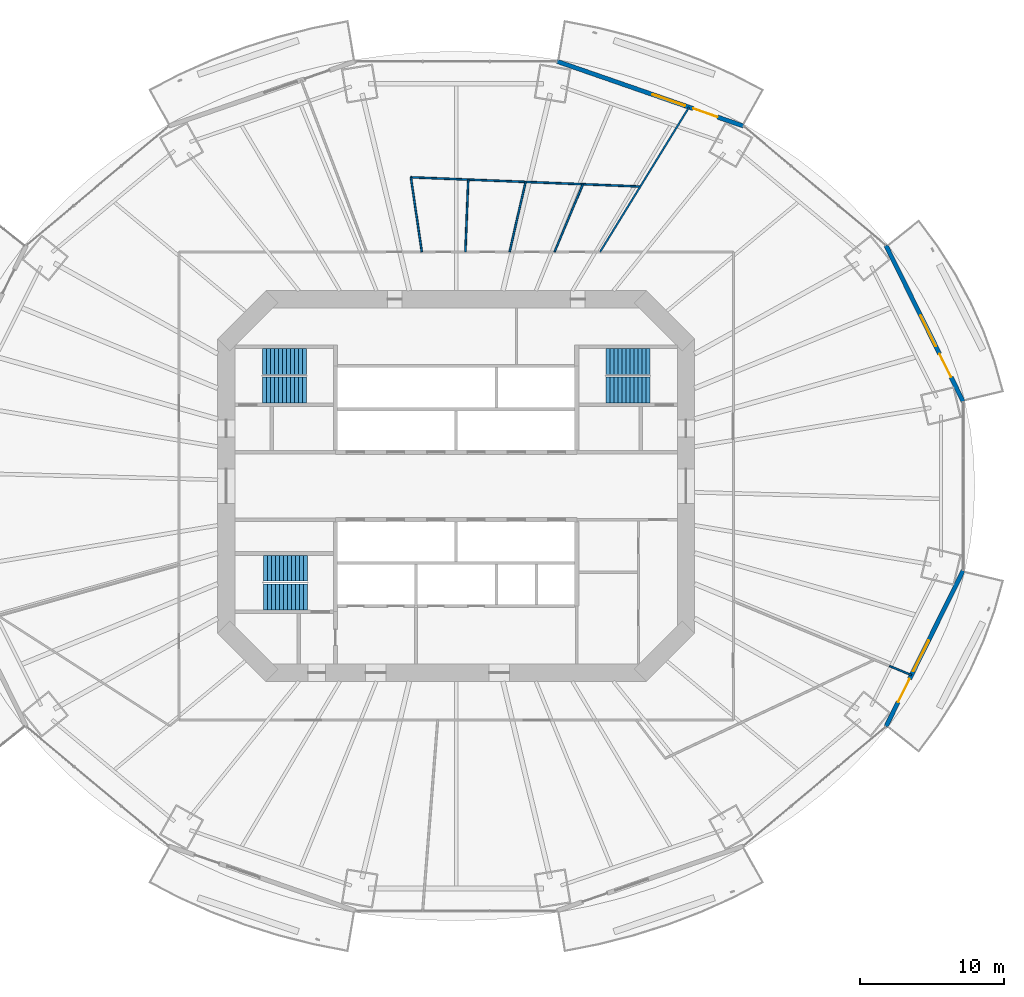
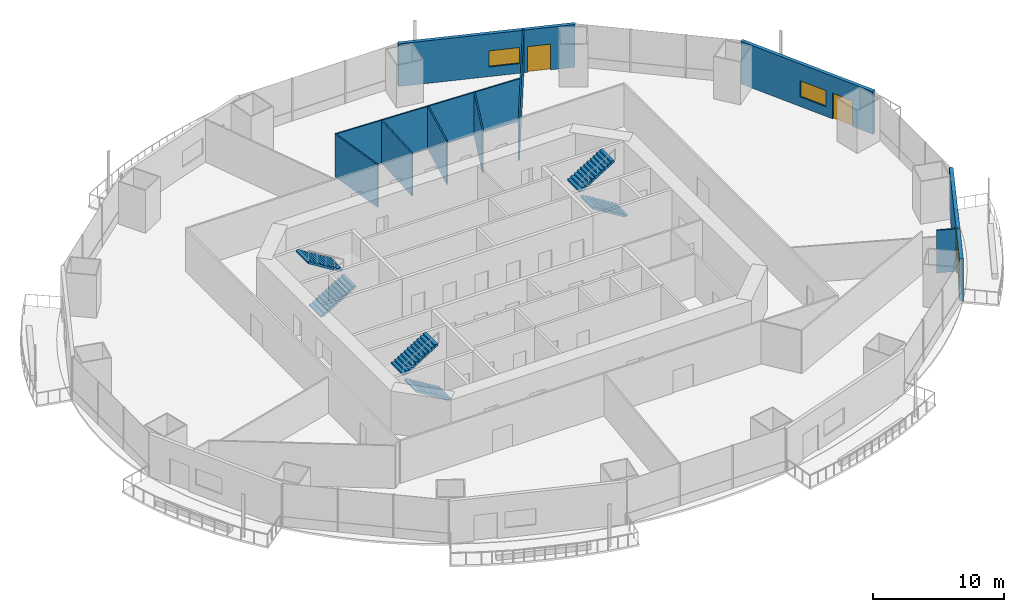
# One storey, part 17 of 23: 10 walls, 6 stair flights, 3 doors, 3 windows, 6 openings, 3 elements without a shape of their own.
"""IFC4 building model written with IfcOpenShell, lengths in metres."""

import ifcopenshell
import ifcopenshell.guid

model = None  # the IFC model being written
_history = None  # IfcOwnerHistory: only IFC2X3 demands one
_inside = {}  # id of a spatial element -> (the spatial element, [elements in it])
_under = {}  # id of a project, library or spatial element -> (it, [spatial elements below it])
_declared = {}  # id of a project -> (the project, [libraries it declares])
_typed = {}  # id of a type object -> (the type object, [elements of that type])
_made_of = {}  # id of a material, layer set ... -> (it, [elements and type objects made of it])


def new_model(schema):
    """Start an empty IFC model of exactly this schema.

    Asked for "IFC4X3", IfcOpenShell would pick the latest addendum, in which some entities
    have other attributes; the version numbers below select the first issue.
    IFC2X3 requires an IfcOwnerHistory on every rooted entity: one is made here for all.
    """
    global model, _history
    if schema == "IFC4X3":
        model = ifcopenshell.file(schema_version=(4, 3, 0, 0))
    else:
        model = ifcopenshell.file(schema=schema)
    _inside.clear()
    _under.clear()
    _declared.clear()
    _typed.clear()
    _made_of.clear()
    _history = None
    if model.schema == "IFC2X3":
        org = make("IfcOrganization", Name="unknown")
        user = make(
            "IfcPersonAndOrganization",
            ThePerson=make("IfcPerson", FamilyName="unknown"),
            TheOrganization=org,
        )
        app = make(
            "IfcApplication",
            ApplicationDeveloper=org,
            Version="unknown",
            ApplicationFullName="unknown",
            ApplicationIdentifier="unknown",
        )
        _history = make(
            "IfcOwnerHistory",
            OwningUser=user,
            OwningApplication=app,
            ChangeAction="ADDED",
            CreationDate=0,
        )
    return model


def make(cls, **values):
    """One entity of the class cls with the attributes given. An attribute that is None is left unset."""
    return model.create_entity(
        cls, **{name: value for name, value in values.items() if value is not None}
    )


def rooted(cls, **values):
    """An entity with a GlobalId (a new one), such as an element, a storey or a relation."""
    return make(cls, GlobalId=ifcopenshell.guid.new(), OwnerHistory=_history, **values)


def si_unit(unit_type, name, prefix=None):
    """IfcSIUnit, for example si_unit("LENGTHUNIT", "METRE", prefix="MILLI")."""
    return make("IfcSIUnit", UnitType=unit_type, Prefix=prefix, Name=name)


def assignment(units):
    """IfcUnitAssignment: the units of a project."""
    return None if units is None else make("IfcUnitAssignment", Units=units)


def point(xyz):
    """IfcCartesianPoint."""
    return None if xyz is None else make("IfcCartesianPoint", Coordinates=xyz)


def direction(xyz):
    """IfcDirection."""
    return None if xyz is None else make("IfcDirection", DirectionRatios=xyz)


def frame(location, z_axis=None, x_axis=None):
    """IfcAxis2Placement3D, a coordinate frame: its origin and axes. An axis left out is left unset."""
    return make(
        "IfcAxis2Placement3D",
        Location=point(location),
        Axis=direction(z_axis),
        RefDirection=direction(x_axis),
    )


def frame_2d(location, x_axis=None):
    """IfcAxis2Placement2D, a coordinate frame in the plane: its origin and x axis."""
    return make(
        "IfcAxis2Placement2D", Location=point(location), RefDirection=direction(x_axis)
    )


def origin():
    """The frame at (0, 0, 0) with its axes left unset."""
    return frame((0.0, 0.0, 0.0))


def place(relative_to, where):
    """IfcLocalPlacement: puts the frame where relative to a parent placement (None: the world)."""
    return make(
        "IfcLocalPlacement", PlacementRelTo=relative_to, RelativePlacement=where
    )


def context(
    kind, dimensions, precision=None, world=None, true_north=None, identifier=None
):
    """IfcGeometricRepresentationContext, for example the 3D "Model" context."""
    return make(
        "IfcGeometricRepresentationContext",
        ContextIdentifier=identifier,
        ContextType=kind,
        CoordinateSpaceDimension=dimensions,
        Precision=precision,
        WorldCoordinateSystem=world,
        TrueNorth=true_north,
    )


def subcontext(parent, identifier, kind, view, scale=None):
    """IfcGeometricRepresentationSubContext, for example "Body" below "Model"."""
    return make(
        "IfcGeometricRepresentationSubContext",
        ContextIdentifier=identifier,
        ContextType=kind,
        ParentContext=parent,
        TargetScale=scale,
        TargetView=view,
    )


def project(units=None, contexts=None):
    """IfcProject with its units and contexts."""
    return rooted(
        "IfcProject",
        Name="project",
        RepresentationContexts=contexts,
        UnitsInContext=assignment(units),
    )


def spatial(cls, under=None, at=None, **own):
    """A site, building, storey or space (cls), placed at a placement, below another one or the project."""
    s = rooted(cls, ObjectPlacement=at, **own)
    if under is not None:
        _under.setdefault(under.id(), (under, []))[1].append(s)
    return s


def polyline(points):
    """IfcPolyline through the points."""
    return make("IfcPolyline", Points=[point(p) for p in points])


def profile(cls, at=None, kind="AREA", **sizes):
    """A parametric profile (cls). Its sizes go by their IFC names, for example OverallWidth=200.0."""
    return make(cls, ProfileType=kind, Position=at, **sizes)


def rectangle(**sizes):
    """IfcRectangleProfileDef."""
    return profile("IfcRectangleProfileDef", **sizes)


def outline(outer, holes=None, kind="AREA"):
    """IfcArbitraryClosedProfileDef: a profile drawn as a closed curve; with holes, ...WithVoids."""
    if holes is None:
        return make("IfcArbitraryClosedProfileDef", ProfileType=kind, OuterCurve=outer)
    return make(
        "IfcArbitraryProfileDefWithVoids",
        ProfileType=kind,
        OuterCurve=outer,
        InnerCurves=holes,
    )


def extrude(swept, where, along, depth):
    """IfcExtrudedAreaSolid: the profile swept, set in the frame where, extruded along a direction by depth."""
    return make(
        "IfcExtrudedAreaSolid",
        SweptArea=swept,
        Position=where,
        ExtrudedDirection=direction(along),
        Depth=depth,
    )


def shape(context_of_items, identifier, shape_type, items):
    """IfcShapeRepresentation: the items that make up one representation, for example the "Body"."""
    return make(
        "IfcShapeRepresentation",
        ContextOfItems=context_of_items,
        RepresentationIdentifier=identifier,
        RepresentationType=shape_type,
        Items=items,
    )


def material(Name=None, Category=None):
    """IfcMaterial."""
    return make("IfcMaterial", Name=Name, Category=Category)


def layer(
    of_material, thickness, ventilated=None, Name=None, Category=None, Priority=None
):
    """IfcMaterialLayer: one layer of a wall or slab, of a material (None: an air gap)."""
    return make(
        "IfcMaterialLayer",
        Material=of_material,
        LayerThickness=thickness,
        IsVentilated=ventilated,
        Name=Name,
        Category=Category,
        Priority=Priority,
    )


def layer_set(layers, Name=None):
    """IfcMaterialLayerSet."""
    return make("IfcMaterialLayerSet", MaterialLayers=layers, LayerSetName=Name)


def made_of(thing, what):
    """Note that an element or type object is made of a material, layer set ...; save() writes the relation."""
    if what is not None:
        _made_of.setdefault(what.id(), (what, []))[1].append(thing)
    return thing


def type_object(cls, material=None, **own):
    """A type object (cls), such as IfcWallType, which elements share."""
    return made_of(rooted(cls, **own), material)


def element(
    cls,
    number,
    at=None,
    inside=None,
    cuts=None,
    type_object=None,
    material=None,
    context=None,
    identifier="Body",
    shape_type=None,
    held_by="IfcProductDefinitionShape",
    body=None,
    shapes=None,
    **own,
):
    """One element of the class cls, such as IfcWall. Its Tag is "e" and its number.

    at: its placement. inside: the storey or other place that contains it. cuts: it is an
    opening in that element (IfcRelVoidsElement). A single representation is given by context,
    identifier, shape_type and body (its items); several are given by shapes. held_by: the class
    of the entity that holds the representations. save() writes the other relations.
    """
    e = rooted(cls, Tag="e%d" % number, ObjectPlacement=at, **own)
    if body is not None:
        shapes = [shape(context, identifier, shape_type, body)]
    if shapes is not None:
        e.Representation = make(held_by, Representations=shapes)
    if inside is not None:
        _inside.setdefault(inside.id(), (inside, []))[1].append(e)
    if cuts is not None:
        rooted(
            "IfcRelVoidsElement", RelatingBuildingElement=cuts, RelatedOpeningElement=e
        )
    if type_object is not None:
        _typed.setdefault(type_object.id(), (type_object, []))[1].append(e)
    return made_of(e, material)


def fill(opening, filler):
    """IfcRelFillsElement: the door or window that sits in an opening."""
    return rooted(
        "IfcRelFillsElement",
        RelatingOpeningElement=opening,
        RelatedBuildingElement=filler,
    )


def aggregate(whole, parts):
    """IfcRelAggregates: a whole, such as a stair, and the parts it consists of."""
    return rooted("IfcRelAggregates", RelatingObject=whole, RelatedObjects=parts)


def save(model, path):
    """Write the relations noted so far, then the file.

    IfcRelAggregates (storeys below a building ...), IfcRelContainedInSpatialStructure (elements
    in a storey), IfcRelDefinesByType, IfcRelAssociatesMaterial and IfcRelDeclares: one each for
    every whole, place, type object, material and project.
    """
    for whole, parts in _under.values():
        aggregate(whole, parts)
    for where, things in _inside.values():
        rooted(
            "IfcRelContainedInSpatialStructure",
            RelatedElements=things,
            RelatingStructure=where,
        )
    for kind, things in _typed.values():
        rooted("IfcRelDefinesByType", RelatedObjects=things, RelatingType=kind)
    for what, things in _made_of.values():
        rooted("IfcRelAssociatesMaterial", RelatedObjects=things, RelatingMaterial=what)
    for by, libraries in _declared.values():
        rooted("IfcRelDeclares", RelatingContext=by, RelatedDefinitions=libraries)
    model.write(path)


model = new_model("IFC4")

# Units and contexts
model_context = context("Model", 3, precision=1e-05, world=origin(), true_north=direction((0.0, 1.0)))
body_context = subcontext(model_context, "Body", "Model", "MODEL_VIEW")
ifc_project = project(units=[si_unit("LENGTHUNIT", "METRE"), si_unit("AREAUNIT", "SQUARE_METRE"), si_unit("VOLUMEUNIT", "CUBIC_METRE"), si_unit("PLANEANGLEUNIT", "RADIAN"), si_unit("MASSUNIT", "GRAM", prefix="KILO")], contexts=[model_context])

# Site, building, storey
site_placement = place(None, origin())
site = spatial("IfcSite", under=ifc_project, at=site_placement, CompositionType="ELEMENT")
building_placement = place(site_placement, origin())
building = spatial("IfcBuilding", under=site, at=building_placement, Name="Marenthal Gate Tower", CompositionType="ELEMENT")
storey_placement = place(building_placement, frame((0.0, 0.0, 62.050048828125)))
storey = spatial("IfcBuildingStorey", under=building, at=storey_placement, Name="L11", CompositionType="ELEMENT", Elevation=62.050048828125)

# Walls
ifc_material_1 = material(Name="Gypsum board on steel studs", Category="steel")
ifc_layer_1 = layer(ifc_material_1, 0.1201171875)
ifc_layer_set_1 = layer_set([ifc_layer_1], Name="Partition 120")
wall_type_1 = type_object("IfcWallType", Name="Partition 120", PredefinedType="PARTITIONING", material=ifc_layer_set_1)
wall_1_placement = place(storey_placement, frame((-3.151123046875, 21.496337890625, 0.0), z_axis=(0.0, 0.0, 1.0), x_axis=(0.145038947254, -0.989425946587, 0.0)))
element("IfcWall", 1, at=wall_1_placement, inside=storey, type_object=wall_type_1, Name="Partition wall 53", PredefinedType="PARTITIONING", context=body_context, shape_type="SweptSolid", body=[
    extrude(rectangle(XDim=5.251708984375, YDim=0.1201171875, at=frame_2d((2.6259765625, 0.0))), origin(), (0.0, 0.0, 1.0), 3.969970703125),
])
wall_2_placement = place(storey_placement, frame((0.842041015625, 21.335693359375, 0.0), z_axis=(0.0, 0.0, 1.0), x_axis=(-0.039434056556, -0.999222175086, 0.0)))
element("IfcWall", 2, at=wall_2_placement, inside=storey, type_object=wall_type_1, Name="Partition wall 55", PredefinedType="PARTITIONING", context=body_context, shape_type="SweptSolid", body=[
    extrude(rectangle(XDim=5.03955078125, YDim=0.1201171875, at=frame_2d((2.519775390625, 0.0))), origin(), (0.0, 0.0, 1.0), 3.969970703125),
])
wall_3_placement = place(storey_placement, frame((4.835205078125, 21.175048828125, 0.0), z_axis=(0.0, 0.0, 1.0), x_axis=(-0.222587494033, -0.974912717888, 0.0)))
element("IfcWall", 3, at=wall_3_placement, inside=storey, type_object=wall_type_1, Name="Partition wall 56", PredefinedType="PARTITIONING", context=body_context, shape_type="SweptSolid", body=[
    extrude(rectangle(XDim=5.00048828125, YDim=0.1201171875, at=frame_2d((2.500244140625, 0.0))), origin(), (0.0, 0.0, 1.0), 3.969970703125),
])
wall_4_placement = place(storey_placement, frame((8.82861328125, 21.014404296875, 0.0), z_axis=(0.0, 0.0, 1.0), x_axis=(-0.387346118672, -0.921934370956, 0.0)))
element("IfcWall", 4, at=wall_4_placement, inside=storey, type_object=wall_type_1, Name="Partition wall 57", PredefinedType="PARTITIONING", context=body_context, shape_type="SweptSolid", body=[
    extrude(rectangle(XDim=5.113525390625, YDim=0.1201171875, at=frame_2d((2.556640625, 0.0))), origin(), (0.0, 0.0, 1.0), 3.969970703125),
])
wall_5_placement = place(storey_placement, frame((10.021728515625, 16.300048828125, 0.0), z_axis=(0.0, 0.0, 1.0), x_axis=(0.523760062699, 0.851865832583, 0.0)))
element("IfcWall", 5, at=wall_5_placement, inside=storey, type_object=wall_type_1, Name="Partition wall 58", PredefinedType="PARTITIONING", context=body_context, shape_type="SweptSolid", body=[
    extrude(rectangle(XDim=11.831787109375, YDim=0.1201171875, at=frame_2d((5.916015625, 0.0))), origin(), (0.0, 0.0, 1.0), 3.969970703125),
])
wall_6_placement = place(storey_placement, frame((12.82177734375, 20.85400390625, 0.0), z_axis=(0.0, 0.0, 1.0), x_axis=(-0.999192397074, 0.040181508547, 0.0)))
element("IfcWall", 6, at=wall_6_placement, inside=storey, type_object=wall_type_1, Name="Partition wall 59", PredefinedType="PARTITIONING", context=body_context, shape_type="SweptSolid", body=[
    extrude(rectangle(XDim=15.98583984375, YDim=0.1201171875, at=frame_2d((7.992919921875, 0.0))), origin(), (0.0, 0.0, 1.0), 3.969970703125),
])
wall_7_placement = place(storey_placement, frame((30.175537109375, -12.530517578125, 0.0), z_axis=(0.0, 0.0, 1.0), x_axis=(0.923548234134, -0.3834822802, 0.0)))
element("IfcWall", 7, at=wall_7_placement, inside=storey, type_object=wall_type_1, Name="Partition wall 66", PredefinedType="PARTITIONING", context=body_context, shape_type="SweptSolid", body=[
    extrude(rectangle(XDim=1.65283203125, YDim=0.1201171875, at=frame_2d((0.826416015625, 0.0))), origin(), (0.0, 0.0, 1.0), 3.969970703125),
])

# Wall, openings, door, window
ifc_material_2 = material(Name="Terracotta cladding on insulated concrete-block backing", Category="masonry")
ifc_layer_2 = layer(ifc_material_2, 0.300048828125)
ifc_layer_set_2 = layer_set([ifc_layer_2], Name="Terracotta facade wall 300")
wall_type_2 = type_object("IfcWallType", Name="Terracotta facade wall 300", PredefinedType="SOLIDWALL", material=ifc_layer_set_2)
wall_8_placement = place(storey_placement, frame((35.303466796875, 5.8818359375, 0.0), z_axis=(0.0, 0.0, 1.0), x_axis=(-0.443294866901, 0.896375848057, 0.0)))
wall_8 = element("IfcWall", 8, at=wall_8_placement, inside=storey, type_object=wall_type_2, Name="Terracotta facade wall L11 bay 1", PredefinedType="SOLIDWALL", context=body_context, shape_type="SweptSolid", body=[
    extrude(rectangle(XDim=12.12451171875, YDim=0.300048828125, at=frame_2d((6.062255859375, 0.0))), origin(), (0.0, 0.0, 1.0), 3.969970703125),
])
opening_1_placement = place(wall_8_placement, frame((1.89990234375, 0.0, 0.0)))
opening_1 = element("IfcOpeningElement", 9, at=opening_1_placement, cuts=wall_8, Name="Opening BD-L11-01", PredefinedType="OPENING", context=body_context, shape_type="SweptSolid", body=[
    extrude(rectangle(XDim=1.800048828125, YDim=2.39990234375, at=frame_2d((0.89990234375, 1.199951171875))), frame((0.0, 0.16015625, 0.0), z_axis=(0.0, -1.0, 0.0), x_axis=(1.0, 0.0, 0.0)), (0.0, 0.0, 1.0), 0.320068359375),
])
opening_2_placement = place(wall_8_placement, frame((4.300048828125, 0.0, 0.89990234375)))
opening_2 = element("IfcOpeningElement", 10, at=opening_2_placement, cuts=wall_8, Name="Opening WN1-L11-01", PredefinedType="OPENING", context=body_context, shape_type="SweptSolid", body=[
    extrude(rectangle(XDim=2.39990234375, YDim=1.5, at=frame_2d((1.199951171875, 0.75))), frame((0.0, 0.16015625, 0.0), z_axis=(0.0, -1.0, 0.0), x_axis=(1.0, 0.0, 0.0)), (0.0, 0.0, 1.0), 0.320068359375),
])
ifc_material_3 = material(Name="Aluminium and glass", Category="aluminium")
door_type = type_object("IfcDoorType", Name="Balcony door 1800x2400", OperationType="DOUBLE_DOOR_SINGLE_SWING", PredefinedType="DOOR", material=ifc_material_3)
door_1_placement = place(opening_1_placement, origin())
door_1 = element("IfcDoor", 11, at=door_1_placement, inside=storey, type_object=door_type, Name="Balcony door L11 bay 1", OperationType="SINGLE_SWING_LEFT", OverallHeight=2.39990234375, OverallWidth=1.800048828125, PredefinedType="DOOR", context=body_context, shape_type="SweptSolid", body=[
    extrude(rectangle(XDim=1.800048828125, YDim=2.39990234375, at=frame_2d((0.89990234375, 1.199951171875))), frame((0.0, 0.02490234375, 0.0), z_axis=(0.0, -1.0, 0.0), x_axis=(1.0, 0.0, 0.0)), (0.0, 0.0, 1.0), 0.050048828125),
])
fill(opening_1, door_1)
ifc_material_4 = material(Name="Aluminium and glass", Category="aluminium")
window_type = type_object("IfcWindowType", Name="Window 2400x1500", PartitioningType="TRIPLE_PANEL_VERTICAL", PredefinedType="WINDOW", material=ifc_material_4)
window_1_placement = place(opening_2_placement, origin())
window_1 = element("IfcWindow", 12, at=window_1_placement, inside=storey, type_object=window_type, Name="Window L11 bay 1", OverallHeight=1.5, OverallWidth=2.39990234375, PartitioningType="SINGLE_PANEL", PredefinedType="WINDOW", context=body_context, shape_type="SweptSolid", body=[
    extrude(rectangle(XDim=2.39990234375, YDim=1.5, at=frame_2d((1.199951171875, 0.75))), frame((0.0, 0.030029296875, 0.0), z_axis=(0.0, -1.0, 0.0), x_axis=(1.0, 0.0, 0.0)), (0.0, 0.0, 1.0), 0.06005859375),
])
fill(opening_2, window_1)

wall_9_placement = place(storey_placement, frame((19.997802734375, 25.068115234375, 0.0), z_axis=(0.0, 0.0, 1.0), x_axis=(-0.944762678088, 0.327755216727, 0.0)))
wall_9 = element("IfcWall", 13, at=wall_9_placement, inside=storey, type_object=wall_type_2, Name="Terracotta facade wall L11 bay 3", PredefinedType="SOLIDWALL", context=body_context, shape_type="SweptSolid", body=[
    extrude(rectangle(XDim=13.734130859375, YDim=0.300048828125, at=frame_2d((6.8671875, 0.0))), origin(), (0.0, 0.0, 1.0), 3.969970703125),
])
opening_3_placement = place(wall_9_placement, frame((1.89990234375, 0.0, 0.0)))
opening_3 = element("IfcOpeningElement", 14, at=opening_3_placement, cuts=wall_9, Name="Opening BD-L11-03", PredefinedType="OPENING", context=body_context, shape_type="SweptSolid", body=[
    extrude(rectangle(XDim=1.800048828125, YDim=2.39990234375, at=frame_2d((0.89990234375, 1.199951171875))), frame((0.0, 0.16015625, 0.0), z_axis=(0.0, -1.0, 0.0), x_axis=(1.0, 0.0, 0.0)), (0.0, 0.0, 1.0), 0.320068359375),
])
opening_4_placement = place(wall_9_placement, frame((4.300048828125, 0.0, 0.89990234375)))
opening_4 = element("IfcOpeningElement", 15, at=opening_4_placement, cuts=wall_9, Name="Opening WN1-L11-03", PredefinedType="OPENING", context=body_context, shape_type="SweptSolid", body=[
    extrude(rectangle(XDim=2.39990234375, YDim=1.5, at=frame_2d((1.199951171875, 0.75))), frame((0.0, 0.16015625, 0.0), z_axis=(0.0, -1.0, 0.0), x_axis=(1.0, 0.0, 0.0)), (0.0, 0.0, 1.0), 0.320068359375),
])
door_2_placement = place(opening_3_placement, origin())
door_2 = element("IfcDoor", 16, at=door_2_placement, inside=storey, type_object=door_type, Name="Balcony door L11 bay 3", OperationType="SINGLE_SWING_LEFT", OverallHeight=2.39990234375, OverallWidth=1.800048828125, PredefinedType="DOOR", context=body_context, shape_type="SweptSolid", body=[
    extrude(rectangle(XDim=1.800048828125, YDim=2.39990234375, at=frame_2d((0.89990234375, 1.199951171875))), frame((0.0, 0.02490234375, 0.0), z_axis=(0.0, -1.0, 0.0), x_axis=(1.0, 0.0, 0.0)), (0.0, 0.0, 1.0), 0.050048828125),
])
fill(opening_3, door_2)
window_2_placement = place(opening_4_placement, origin())
window_2 = element("IfcWindow", 17, at=window_2_placement, inside=storey, type_object=window_type, Name="Window L11 bay 3", OverallHeight=1.5, OverallWidth=2.39990234375, PartitioningType="SINGLE_PANEL", PredefinedType="WINDOW", context=body_context, shape_type="SweptSolid", body=[
    extrude(rectangle(XDim=2.39990234375, YDim=1.5, at=frame_2d((1.199951171875, 0.75))), frame((0.0, 0.030029296875, 0.0), z_axis=(0.0, -1.0, 0.0), x_axis=(1.0, 0.0, 0.0)), (0.0, 0.0, 1.0), 0.06005859375),
])
fill(opening_4, window_2)

wall_10_placement = place(storey_placement, frame((29.9287109375, -16.75, 0.0), z_axis=(0.0, 0.0, 1.0), x_axis=(0.443294866901, 0.896375848057, 0.0)))
wall_10 = element("IfcWall", 18, at=wall_10_placement, inside=storey, type_object=wall_type_2, Name="Terracotta facade wall L11 bay 15", PredefinedType="SOLIDWALL", context=body_context, shape_type="SweptSolid", body=[
    extrude(rectangle(XDim=12.12451171875, YDim=0.300048828125, at=frame_2d((6.062255859375, 0.0))), origin(), (0.0, 0.0, 1.0), 3.969970703125),
])
opening_5_placement = place(wall_10_placement, frame((1.89990234375, 0.0, 0.0)))
opening_5 = element("IfcOpeningElement", 19, at=opening_5_placement, cuts=wall_10, Name="Opening BD-L11-15", PredefinedType="OPENING", context=body_context, shape_type="SweptSolid", body=[
    extrude(rectangle(XDim=1.800048828125, YDim=2.39990234375, at=frame_2d((0.89990234375, 1.199951171875))), frame((0.0, 0.16015625, 0.0), z_axis=(0.0, -1.0, 0.0), x_axis=(1.0, 0.0, 0.0)), (0.0, 0.0, 1.0), 0.320068359375),
])
opening_6_placement = place(wall_10_placement, frame((4.300048828125, 0.0, 0.89990234375)))
opening_6 = element("IfcOpeningElement", 20, at=opening_6_placement, cuts=wall_10, Name="Opening WN1-L11-15", PredefinedType="OPENING", context=body_context, shape_type="SweptSolid", body=[
    extrude(rectangle(XDim=2.39990234375, YDim=1.5, at=frame_2d((1.199951171875, 0.75))), frame((0.0, 0.16015625, 0.0), z_axis=(0.0, -1.0, 0.0), x_axis=(1.0, 0.0, 0.0)), (0.0, 0.0, 1.0), 0.320068359375),
])
door_3_placement = place(opening_5_placement, origin())
door_3 = element("IfcDoor", 21, at=door_3_placement, inside=storey, type_object=door_type, Name="Balcony door L11 bay 15", OperationType="SINGLE_SWING_LEFT", OverallHeight=2.39990234375, OverallWidth=1.800048828125, PredefinedType="DOOR", context=body_context, shape_type="SweptSolid", body=[
    extrude(rectangle(XDim=1.800048828125, YDim=2.39990234375, at=frame_2d((0.89990234375, 1.199951171875))), frame((0.0, 0.02490234375, 0.0), z_axis=(0.0, -1.0, 0.0), x_axis=(1.0, 0.0, 0.0)), (0.0, 0.0, 1.0), 0.050048828125),
])
fill(opening_5, door_3)
window_3_placement = place(opening_6_placement, origin())
window_3 = element("IfcWindow", 22, at=window_3_placement, inside=storey, type_object=window_type, Name="Window L11 bay 15", OverallHeight=1.5, OverallWidth=2.39990234375, PartitioningType="SINGLE_PANEL", PredefinedType="WINDOW", context=body_context, shape_type="SweptSolid", body=[
    extrude(rectangle(XDim=2.39990234375, YDim=1.5, at=frame_2d((1.199951171875, 0.75))), frame((0.0, 0.030029296875, 0.0), z_axis=(0.0, -1.0, 0.0), x_axis=(1.0, 0.0, 0.0)), (0.0, 0.0, 1.0), 0.06005859375),
])
fill(opening_6, window_3)

# Stair, stair flights
ifc_material_5 = material(Name="Concrete 40 MPa", Category="concrete")
stair_type = type_object("IfcStairType", Name="Exit stair 1800", PredefinedType="HALF_TURN_STAIR", material=ifc_material_5)
stair_1_placement = place(storey_placement, origin())
stair_1 = element("IfcStair", 23, at=stair_1_placement, inside=storey, type_object=stair_type, Name="Stair ST1", PredefinedType="HALF_TURN_STAIR")
ifc_material_6 = material(Name="Concrete 40 MPa", Category="concrete")
stair_flight_type = type_object("IfcStairFlightType", Name="Stair flight 1800", PredefinedType="STRAIGHT", material=ifc_material_6)
stair_flight_1_placement = place(storey_placement, frame((-13.5, 6.675048828125, 0.0), z_axis=(0.0, 0.0, 1.0), x_axis=(1.0, 0.0, 0.0)))
stair_flight_1 = element("IfcStairFlight", 24, at=stair_flight_1_placement, type_object=stair_flight_type, Name="ST1 flight 1", NumberOfRisers=12, NumberOfTreads=11, PredefinedType="STRAIGHT", RiserHeight=0.172916667, TreadLength=0.28, context=body_context, shape_type="SweptSolid", body=[
    extrude(outline(polyline([(0.0, 0.0), (0.0, 0.1728515625), (0.280029296875, 0.1728515625), (0.280029296875, 0.345947265625), (0.56005859375, 0.345947265625), (0.56005859375, 0.518798828125), (0.840087890625, 0.518798828125), (0.840087890625, 0.691650390625), (1.1201171875, 0.691650390625), (1.1201171875, 0.864501953125), (1.39990234375, 0.864501953125), (1.39990234375, 1.03759765625), (1.679931640625, 1.03759765625), (1.679931640625, 1.21044921875), (1.9599609375, 1.21044921875), (1.9599609375, 1.38330078125), (2.239990234375, 1.38330078125), (2.239990234375, 1.55615234375), (2.52001953125, 1.55615234375), (2.52001953125, 1.729248046875), (2.800048828125, 1.729248046875), (2.800048828125, 1.902099609375), (3.080078125, 1.902099609375), (3.080078125, 2.074951171875), (3.080078125, 1.725830078125), (0.285400390625, 0.0), (0.0, 0.0)])), frame((0.0, 0.89990234375, 0.0), z_axis=(0.0, -1.0, 0.0), x_axis=(1.0, 0.0, 0.0)), (0.0, 0.0, 1.0), 1.800048828125),
])
stair_flight_2_placement = place(storey_placement, frame((-10.419921875, 8.675048828125, 2.074951171875), z_axis=(0.0, 0.0, 1.0), x_axis=(-1.0, 0.0, 0.0)))
stair_flight_2 = element("IfcStairFlight", 25, at=stair_flight_2_placement, type_object=stair_flight_type, Name="ST1 flight 2", NumberOfRisers=12, NumberOfTreads=11, PredefinedType="STRAIGHT", RiserHeight=0.172916667, TreadLength=0.28, context=body_context, shape_type="SweptSolid", body=[
    extrude(outline(polyline([(0.0, 0.0), (0.0, 0.1728515625), (0.280029296875, 0.1728515625), (0.280029296875, 0.345947265625), (0.56005859375, 0.345947265625), (0.56005859375, 0.518798828125), (0.840087890625, 0.518798828125), (0.840087890625, 0.691650390625), (1.1201171875, 0.691650390625), (1.1201171875, 0.864501953125), (1.39990234375, 0.864501953125), (1.39990234375, 1.03759765625), (1.679931640625, 1.03759765625), (1.679931640625, 1.21044921875), (1.9599609375, 1.21044921875), (1.9599609375, 1.38330078125), (2.239990234375, 1.38330078125), (2.239990234375, 1.55615234375), (2.52001953125, 1.55615234375), (2.52001953125, 1.729248046875), (2.800048828125, 1.729248046875), (2.800048828125, 1.902099609375), (3.080078125, 1.902099609375), (3.080078125, 2.074951171875), (3.080078125, 1.725830078125), (0.285400390625, 0.0), (0.0, 0.0)])), frame((0.0, 0.89990234375, 0.0), z_axis=(0.0, -1.0, 0.0), x_axis=(1.0, 0.0, 0.0)), (0.0, 0.0, 1.0), 1.800048828125),
])
aggregate(stair_1, [stair_flight_1, stair_flight_2])

stair_2_placement = place(storey_placement, origin())
stair_2 = element("IfcStair", 26, at=stair_2_placement, inside=storey, type_object=stair_type, Name="Stair ST2", PredefinedType="HALF_TURN_STAIR")
stair_flight_3_placement = place(storey_placement, frame((-10.35009765625, -7.72509765625, 0.0), z_axis=(0.0, 0.0, 1.0), x_axis=(-1.0, 0.0, 0.0)))
stair_flight_3 = element("IfcStairFlight", 27, at=stair_flight_3_placement, type_object=stair_flight_type, Name="ST2 flight 1", NumberOfRisers=12, NumberOfTreads=11, PredefinedType="STRAIGHT", RiserHeight=0.172916667, TreadLength=0.28, context=body_context, shape_type="SweptSolid", body=[
    extrude(outline(polyline([(0.0, 0.0), (0.0, 0.1728515625), (0.280029296875, 0.1728515625), (0.280029296875, 0.345947265625), (0.56005859375, 0.345947265625), (0.56005859375, 0.518798828125), (0.840087890625, 0.518798828125), (0.840087890625, 0.691650390625), (1.1201171875, 0.691650390625), (1.1201171875, 0.864501953125), (1.39990234375, 0.864501953125), (1.39990234375, 1.03759765625), (1.679931640625, 1.03759765625), (1.679931640625, 1.21044921875), (1.9599609375, 1.21044921875), (1.9599609375, 1.38330078125), (2.239990234375, 1.38330078125), (2.239990234375, 1.55615234375), (2.52001953125, 1.55615234375), (2.52001953125, 1.729248046875), (2.800048828125, 1.729248046875), (2.800048828125, 1.902099609375), (3.080078125, 1.902099609375), (3.080078125, 2.074951171875), (3.080078125, 1.725830078125), (0.285400390625, 0.0), (0.0, 0.0)])), frame((0.0, 0.89990234375, 0.0), z_axis=(0.0, -1.0, 0.0), x_axis=(1.0, 0.0, 0.0)), (0.0, 0.0, 1.0), 1.800048828125),
])
stair_flight_4_placement = place(storey_placement, frame((-13.429931640625, -5.72509765625, 2.074951171875), z_axis=(0.0, 0.0, 1.0), x_axis=(1.0, 0.0, 0.0)))
stair_flight_4 = element("IfcStairFlight", 28, at=stair_flight_4_placement, type_object=stair_flight_type, Name="ST2 flight 2", NumberOfRisers=12, NumberOfTreads=11, PredefinedType="STRAIGHT", RiserHeight=0.172916667, TreadLength=0.28, context=body_context, shape_type="SweptSolid", body=[
    extrude(outline(polyline([(0.0, 0.0), (0.0, 0.1728515625), (0.280029296875, 0.1728515625), (0.280029296875, 0.345947265625), (0.56005859375, 0.345947265625), (0.56005859375, 0.518798828125), (0.840087890625, 0.518798828125), (0.840087890625, 0.691650390625), (1.1201171875, 0.691650390625), (1.1201171875, 0.864501953125), (1.39990234375, 0.864501953125), (1.39990234375, 1.03759765625), (1.679931640625, 1.03759765625), (1.679931640625, 1.21044921875), (1.9599609375, 1.21044921875), (1.9599609375, 1.38330078125), (2.239990234375, 1.38330078125), (2.239990234375, 1.55615234375), (2.52001953125, 1.55615234375), (2.52001953125, 1.729248046875), (2.800048828125, 1.729248046875), (2.800048828125, 1.902099609375), (3.080078125, 1.902099609375), (3.080078125, 2.074951171875), (3.080078125, 1.725830078125), (0.285400390625, 0.0), (0.0, 0.0)])), frame((0.0, 0.89990234375, 0.0), z_axis=(0.0, -1.0, 0.0), x_axis=(1.0, 0.0, 0.0)), (0.0, 0.0, 1.0), 1.800048828125),
])
aggregate(stair_2, [stair_flight_3, stair_flight_4])

stair_3_placement = place(storey_placement, origin())
stair_3 = element("IfcStair", 29, at=stair_3_placement, inside=storey, type_object=stair_type, Name="Stair ST3", PredefinedType="HALF_TURN_STAIR")
stair_flight_5_placement = place(storey_placement, frame((13.5, 6.675048828125, 0.0), z_axis=(0.0, 0.0, 1.0), x_axis=(-1.0, 0.0, 0.0)))
stair_flight_5 = element("IfcStairFlight", 30, at=stair_flight_5_placement, type_object=stair_flight_type, Name="ST3 flight 1", NumberOfRisers=12, NumberOfTreads=11, PredefinedType="STRAIGHT", RiserHeight=0.172916667, TreadLength=0.28, context=body_context, shape_type="SweptSolid", body=[
    extrude(outline(polyline([(0.0, 0.0), (0.0, 0.1728515625), (0.280029296875, 0.1728515625), (0.280029296875, 0.345947265625), (0.56005859375, 0.345947265625), (0.56005859375, 0.518798828125), (0.840087890625, 0.518798828125), (0.840087890625, 0.691650390625), (1.1201171875, 0.691650390625), (1.1201171875, 0.864501953125), (1.39990234375, 0.864501953125), (1.39990234375, 1.03759765625), (1.679931640625, 1.03759765625), (1.679931640625, 1.21044921875), (1.9599609375, 1.21044921875), (1.9599609375, 1.38330078125), (2.239990234375, 1.38330078125), (2.239990234375, 1.55615234375), (2.52001953125, 1.55615234375), (2.52001953125, 1.729248046875), (2.800048828125, 1.729248046875), (2.800048828125, 1.902099609375), (3.080078125, 1.902099609375), (3.080078125, 2.074951171875), (3.080078125, 1.725830078125), (0.285400390625, 0.0), (0.0, 0.0)])), frame((0.0, 0.89990234375, 0.0), z_axis=(0.0, -1.0, 0.0), x_axis=(1.0, 0.0, 0.0)), (0.0, 0.0, 1.0), 1.800048828125),
])
stair_flight_6_placement = place(storey_placement, frame((10.419921875, 8.675048828125, 2.074951171875), z_axis=(0.0, 0.0, 1.0), x_axis=(1.0, 0.0, 0.0)))
stair_flight_6 = element("IfcStairFlight", 31, at=stair_flight_6_placement, type_object=stair_flight_type, Name="ST3 flight 2", NumberOfRisers=12, NumberOfTreads=11, PredefinedType="STRAIGHT", RiserHeight=0.172916667, TreadLength=0.28, context=body_context, shape_type="SweptSolid", body=[
    extrude(outline(polyline([(0.0, 0.0), (0.0, 0.1728515625), (0.280029296875, 0.1728515625), (0.280029296875, 0.345947265625), (0.56005859375, 0.345947265625), (0.56005859375, 0.518798828125), (0.840087890625, 0.518798828125), (0.840087890625, 0.691650390625), (1.1201171875, 0.691650390625), (1.1201171875, 0.864501953125), (1.39990234375, 0.864501953125), (1.39990234375, 1.03759765625), (1.679931640625, 1.03759765625), (1.679931640625, 1.21044921875), (1.9599609375, 1.21044921875), (1.9599609375, 1.38330078125), (2.239990234375, 1.38330078125), (2.239990234375, 1.55615234375), (2.52001953125, 1.55615234375), (2.52001953125, 1.729248046875), (2.800048828125, 1.729248046875), (2.800048828125, 1.902099609375), (3.080078125, 1.902099609375), (3.080078125, 2.074951171875), (3.080078125, 1.725830078125), (0.285400390625, 0.0), (0.0, 0.0)])), frame((0.0, 0.89990234375, 0.0), z_axis=(0.0, -1.0, 0.0), x_axis=(1.0, 0.0, 0.0)), (0.0, 0.0, 1.0), 1.800048828125),
])
aggregate(stair_3, [stair_flight_5, stair_flight_6])

save(model, "model.ifc")
